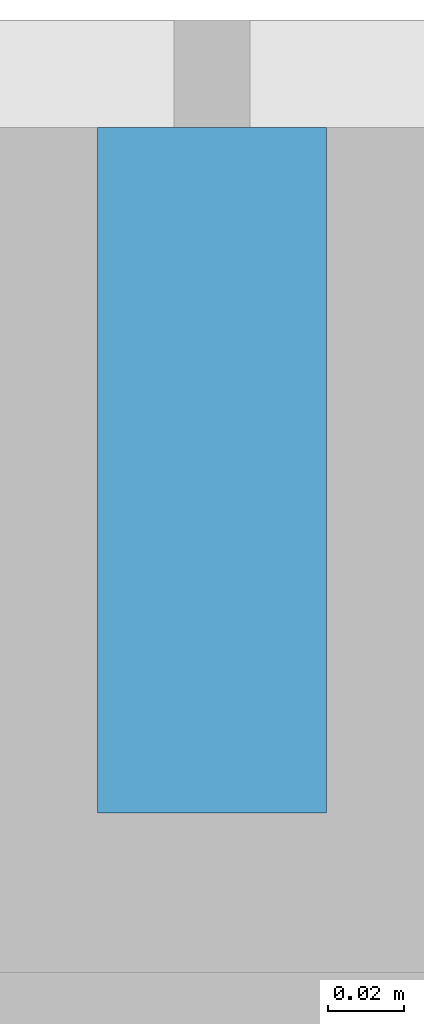
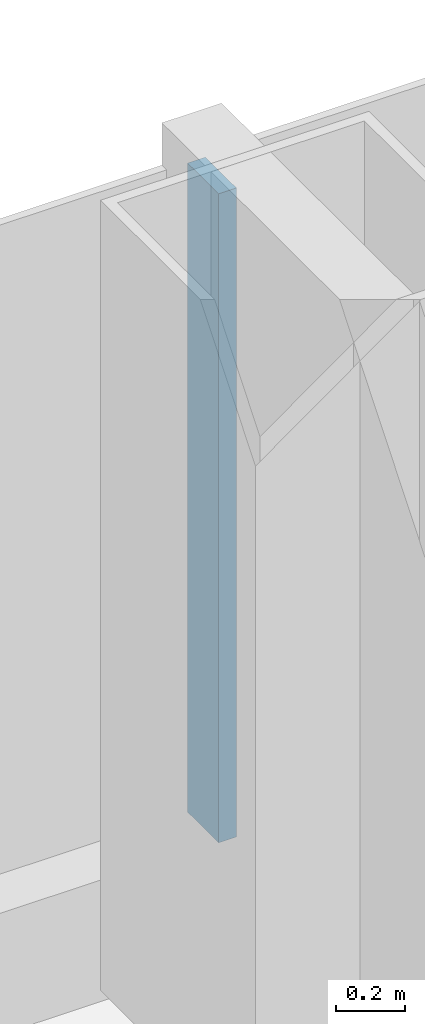
# One storey, part 7 of 28: 1 member, 1 element without a shape of its own.
"""IFC4 building model written with IfcOpenShell, lengths in metres."""

from ifc_helpers import new_model, si_unit, direction, frame, origin, origin_2d, place, context, subcontext, project, spatial, rectangle, extrude, material, layer, layer_set, material_profile, profile_set, type_object, element, aggregate, save


model = new_model("IFC4")

# Units and contexts
model_context = context("Model", 3, precision=1e-05, world=origin(), true_north=direction((0.0, 1.0)))
body_context = subcontext(model_context, "Body", "Model", "MODEL_VIEW")
ifc_project = project(units=[si_unit("LENGTHUNIT", "METRE"), si_unit("AREAUNIT", "SQUARE_METRE"), si_unit("VOLUMEUNIT", "CUBIC_METRE"), si_unit("PLANEANGLEUNIT", "RADIAN"), si_unit("MASSUNIT", "GRAM", prefix="KILO")], contexts=[model_context])

# Site, building, storey
site_placement = place(None, origin())
site = spatial("IfcSite", under=ifc_project, at=site_placement, CompositionType="ELEMENT")
building_placement = place(site_placement, origin())
building = spatial("IfcBuilding", under=site, at=building_placement, Name="Hakoniwa Tower and Hamabe Station Hall", CompositionType="ELEMENT")
storey_placement = place(building_placement, frame((0.0, 0.0, 48.60009765625)))
storey = spatial("IfcBuildingStorey", under=building, at=storey_placement, Name="L13", CompositionType="ELEMENT", Elevation=48.60009765625)

# Curtain wall, member
ifc_material_1 = material(Name="Dark low-e laminated glass", Category="glass")
ifc_layer = layer(ifc_material_1, 0.199951171875)
ifc_layer_set = layer_set([ifc_layer], Name="CW-1 UNITISED GUEST")
curtain_wall_type = type_object("IfcCurtainWallType", Name="CW-1 UNITISED GUEST", PredefinedType="NOTDEFINED", material=ifc_layer_set)
curtain_wall_placement = place(storey_placement, origin())
curtain_wall = element("IfcCurtainWall", 1, at=curtain_wall_placement, inside=storey, type_object=curtain_wall_type, Name="CW-1 curtain wall", PredefinedType="NOTDEFINED")
ifc_material_2 = material(Name="Aluminium 6063-T5 black anodised", Category="aluminium")
ifc_material_profile = material_profile(ifc_material_2, rectangle(XDim=0.06005859375, YDim=0.179931640625, at=origin_2d()), Name="CW-1 MULLION 60X180")
ifc_profile_set = profile_set([ifc_material_profile], Name="Aluminium 6063-T5 black anodised")
member_type = type_object("IfcMemberType", Name="CW-1 MULLION 60X180", PredefinedType="MULLION", material=ifc_profile_set)
member_placement = place(storey_placement, frame((0.0, 20.181884765625, 0.349853515625), z_axis=(0.0, 0.0, 1.0), x_axis=(-1.0, 0.0, 0.0)))
member = element("IfcMember", 2, at=member_placement, type_object=member_type, Name="CW-1 mullion", PredefinedType="MULLION", context=body_context, shape_type="SweptSolid", body=[
    extrude(rectangle(XDim=0.06005859375, YDim=0.179931640625, at=origin_2d()), origin(), (0.0, 0.0, 1.0), 2.300048828125),
])
aggregate(curtain_wall, [member])

save(model, "model.ifc")
